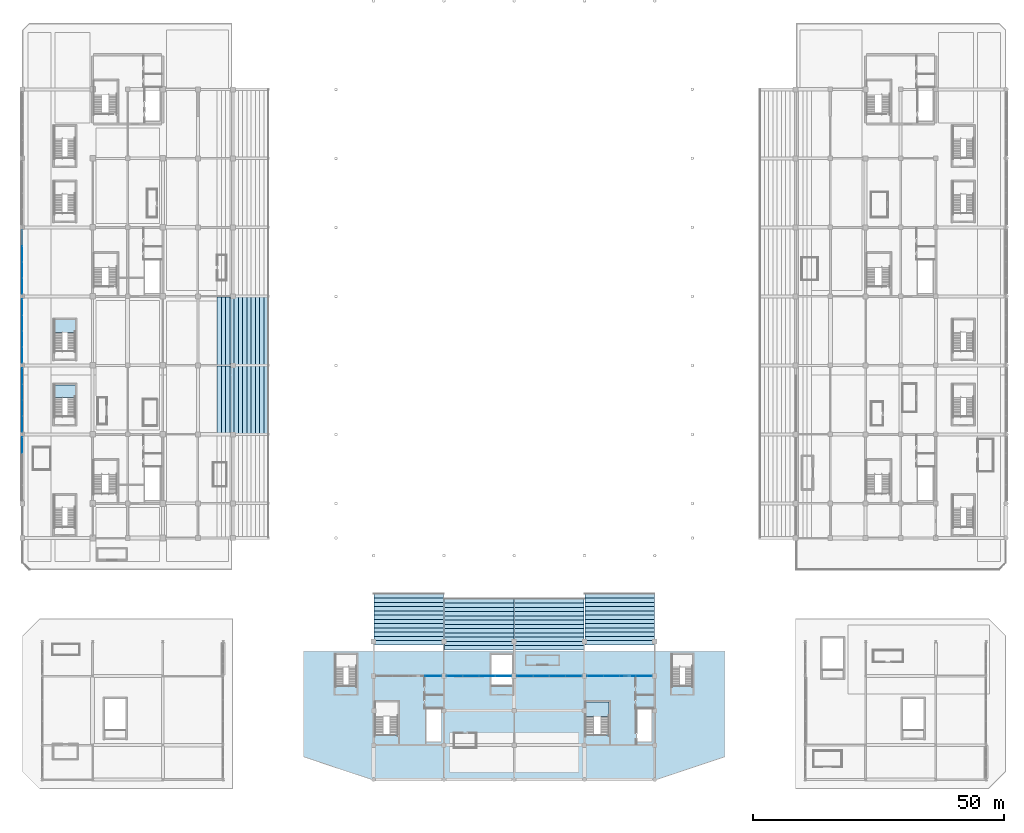
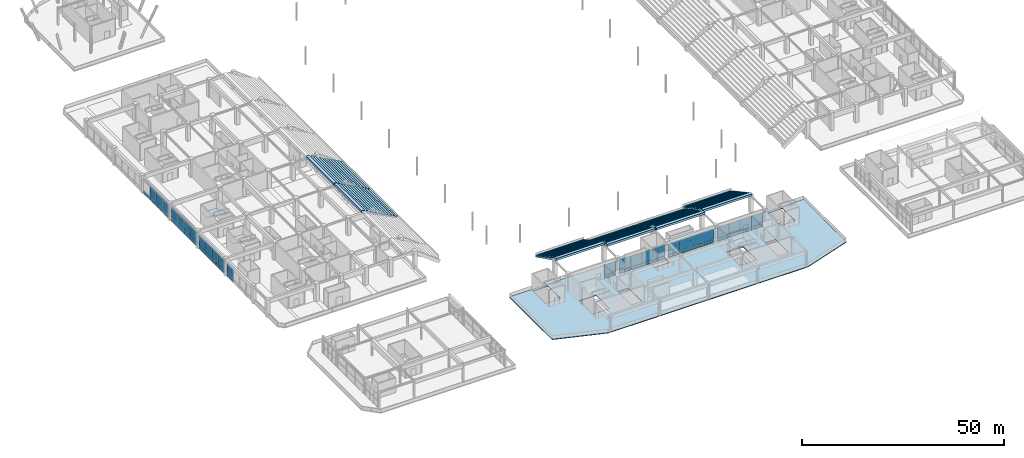
# One storey, part 72 of 117: 51 plates, 10 slabs, 11 elements without a shape of their own.
"""IFC4 building model written with IfcOpenShell, lengths in metres."""

from ifc_helpers import new_model, si_unit, direction, frame, origin, origin_2d, place, context, subcontext, project, spatial, polyline, rectangle, outline, extrude, material, layer, layer_set, type_object, element, aggregate, save


model = new_model("IFC4")

# Units and contexts
model_context = context("Model", 3, precision=1e-05, world=origin(), true_north=direction((0.0, 1.0)))
body_context = subcontext(model_context, "Body", "Model", "MODEL_VIEW")
ifc_project = project(units=[si_unit("LENGTHUNIT", "METRE"), si_unit("AREAUNIT", "SQUARE_METRE"), si_unit("VOLUMEUNIT", "CUBIC_METRE"), si_unit("PLANEANGLEUNIT", "RADIAN"), si_unit("MASSUNIT", "GRAM", prefix="KILO")], contexts=[model_context])

# Site, building, storey
site_placement = place(None, origin())
site = spatial("IfcSite", under=ifc_project, at=site_placement, CompositionType="ELEMENT")
building_placement = place(site_placement, origin())
building = spatial("IfcBuilding", under=site, at=building_placement, Name="Linyun Crest Stadium", CompositionType="ELEMENT")
storey_placement = place(building_placement, frame((0.0, 0.0, 6.0)))
storey = spatial("IfcBuildingStorey", under=building, at=storey_placement, Name="L02", CompositionType="ELEMENT", Elevation=6.0)

# Slab
ifc_material_1 = material(Name="Concrete C40", Category="concrete")
ifc_layer_1 = layer(ifc_material_1, 0.219970703125)
ifc_layer_set_1 = layer_set([ifc_layer_1], Name="Concrete C40")
slab_type_1 = type_object("IfcSlabType", Name="FS03", PredefinedType="FLOOR", material=ifc_layer_set_1)
slab_1_placement = place(storey_placement, frame((0.0, 0.0, -0.219970703125)))
element("IfcSlab", 1, at=slab_1_placement, inside=storey, type_object=slab_type_1, Name="Slab FS03 V4 L02 40", PredefinedType="FLOOR", context=body_context, shape_type="SweptSolid", body=[
    extrude(outline(polyline([(-42.0, -89.625), (-28.5, -94.125), (28.5, -94.125), (42.0, -89.625), (42.0, -68.5), (-42.0, -68.5), (-42.0, -89.625)]), holes=[polyline([(-27.77490234375, -85.22998046875), (-27.77490234375, -78.64990234375), (-23.10009765625, -78.64990234375), (-23.10009765625, -85.22998046875), (-27.77490234375, -85.22998046875)]), polyline([(-17.60009765625, -86.60009765625), (-17.60009765625, -80.0), (-14.60009765625, -80.0), (-14.60009765625, -86.60009765625), (-17.60009765625, -86.60009765625)]), polyline([(14.175048828125, -85.22998046875), (14.175048828125, -78.64990234375), (18.89990234375, -78.64990234375), (18.89990234375, -85.22998046875), (14.175048828125, -85.22998046875)]), polyline([(24.39990234375, -86.60009765625), (24.39990234375, -80.0), (27.39990234375, -80.0), (27.39990234375, -86.60009765625), (24.39990234375, -86.60009765625)]), polyline([(-35.60009765625, -75.449951171875), (-35.60009765625, -69.199951171875), (-31.39990234375, -69.199951171875), (-31.39990234375, -75.449951171875), (-35.60009765625, -75.449951171875)]), polyline([(-4.60009765625, -75.449951171875), (-4.60009765625, -69.199951171875), (-0.39990234375, -69.199951171875), (-0.39990234375, -75.449951171875), (-4.60009765625, -75.449951171875)]), polyline([(31.39990234375, -75.449951171875), (31.39990234375, -69.199951171875), (35.60009765625, -69.199951171875), (35.60009765625, -75.449951171875), (31.39990234375, -75.449951171875)])]), origin(), (0.0, 0.0, 1.0), 0.219970703125),
])

# Curtain wall, plate
ifc_material_2 = material(Name="Verdigris steel and low-E curtain wall assembly", Category="steel")
curtain_wall_type_1 = type_object("IfcCurtainWallType", Name="MCW01", PredefinedType="NOTDEFINED", material=ifc_material_2)
curtain_wall_1_placement = place(storey_placement, origin())
curtain_wall_1 = element("IfcCurtainWall", 2, at=curtain_wall_1_placement, inside=storey, type_object=curtain_wall_type_1, Name="CWR-073", PredefinedType="NOTDEFINED")
ifc_material_3 = material(Name="Double silver low-E insulated glass", Category="glass")
ifc_layer_2 = layer(ifc_material_3, 0.02587890625)
ifc_layer_set_2 = layer_set([ifc_layer_2], Name="Double silver low-E insulated glass")
plate_type_1 = type_object("IfcPlateType", Name="GP01", PredefinedType="CURTAIN_PANEL", material=ifc_layer_set_2)
plate_1_placement = place(storey_placement, frame((-98.0, -27.506103515625, 0.9248046875), z_axis=(0.0, 0.0, 1.0), x_axis=(0.0, 1.0, 0.0)))
plate_1 = element("IfcPlate", 3, at=plate_1_placement, type_object=plate_type_1, Name="CWR-073 panel 4.2", PredefinedType="CURTAIN_PANEL", context=body_context, shape_type="SweptSolid", body=[
    extrude(rectangle(XDim=3.112548828125, YDim=0.02587890625, at=origin_2d()), origin(), (0.0, 0.0, 1.0), 3.300048828125),
])

# Curtain wall, plates
curtain_wall_2_placement = place(storey_placement, origin())
curtain_wall_2 = element("IfcCurtainWall", 4, at=curtain_wall_2_placement, inside=storey, type_object=curtain_wall_type_1, Name="CWR-082", PredefinedType="NOTDEFINED")
plate_2_placement = place(storey_placement, frame((-98.0, -23.243896484375, 0.9248046875), z_axis=(0.0, 0.0, 1.0), x_axis=(0.0, 1.0, 0.0)))
plate_2 = element("IfcPlate", 5, at=plate_2_placement, type_object=plate_type_1, Name="CWR-082 panel 1.2", PredefinedType="CURTAIN_PANEL", context=body_context, shape_type="SweptSolid", body=[
    extrude(rectangle(XDim=3.112548828125, YDim=0.02587890625, at=origin_2d()), origin(), (0.0, 0.0, 1.0), 3.300048828125),
])
plate_3_placement = place(storey_placement, frame((-98.0, -20.0810546875, 0.9248046875), z_axis=(0.0, 0.0, 1.0), x_axis=(0.0, 1.0, 0.0)))
plate_3 = element("IfcPlate", 6, at=plate_3_placement, type_object=plate_type_1, Name="CWR-082 panel 2.2", PredefinedType="CURTAIN_PANEL", context=body_context, shape_type="SweptSolid", body=[
    extrude(rectangle(XDim=3.112548828125, YDim=0.02587890625, at=origin_2d()), origin(), (0.0, 0.0, 1.0), 3.300048828125),
])
plate_4_placement = place(storey_placement, frame((-98.0, -16.9189453125, 0.9248046875), z_axis=(0.0, 0.0, 1.0), x_axis=(0.0, 1.0, 0.0)))
plate_4 = element("IfcPlate", 7, at=plate_4_placement, type_object=plate_type_1, Name="CWR-082 panel 3.2", PredefinedType="CURTAIN_PANEL", context=body_context, shape_type="SweptSolid", body=[
    extrude(rectangle(XDim=3.112548828125, YDim=0.02587890625, at=origin_2d()), origin(), (0.0, 0.0, 1.0), 3.300048828125),
])
plate_5_placement = place(storey_placement, frame((-98.0, -13.756103515625, 0.9248046875), z_axis=(0.0, 0.0, 1.0), x_axis=(0.0, 1.0, 0.0)))
plate_5 = element("IfcPlate", 8, at=plate_5_placement, type_object=plate_type_1, Name="CWR-082 panel 4.2", PredefinedType="CURTAIN_PANEL", context=body_context, shape_type="SweptSolid", body=[
    extrude(rectangle(XDim=3.112548828125, YDim=0.02587890625, at=origin_2d()), origin(), (0.0, 0.0, 1.0), 3.300048828125),
])

curtain_wall_3_placement = place(storey_placement, origin())
curtain_wall_3 = element("IfcCurtainWall", 9, at=curtain_wall_3_placement, inside=storey, type_object=curtain_wall_type_1, Name="CWR-091", PredefinedType="NOTDEFINED")
plate_6_placement = place(storey_placement, frame((-98.0, -9.493896484375, 0.9248046875), z_axis=(0.0, 0.0, 1.0), x_axis=(0.0, 1.0, 0.0)))
plate_6 = element("IfcPlate", 10, at=plate_6_placement, type_object=plate_type_1, Name="CWR-091 panel 1.2", PredefinedType="CURTAIN_PANEL", context=body_context, shape_type="SweptSolid", body=[
    extrude(rectangle(XDim=3.112548828125, YDim=0.02587890625, at=origin_2d()), origin(), (0.0, 0.0, 1.0), 3.300048828125),
])
plate_7_placement = place(storey_placement, frame((-98.0, -6.3310546875, 0.9248046875), z_axis=(0.0, 0.0, 1.0), x_axis=(0.0, 1.0, 0.0)))
plate_7 = element("IfcPlate", 11, at=plate_7_placement, type_object=plate_type_1, Name="CWR-091 panel 2.2", PredefinedType="CURTAIN_PANEL", context=body_context, shape_type="SweptSolid", body=[
    extrude(rectangle(XDim=3.112548828125, YDim=0.02587890625, at=origin_2d()), origin(), (0.0, 0.0, 1.0), 3.300048828125),
])
plate_8_placement = place(storey_placement, frame((-98.0, -3.1689453125, 0.9248046875), z_axis=(0.0, 0.0, 1.0), x_axis=(0.0, 1.0, 0.0)))
plate_8 = element("IfcPlate", 12, at=plate_8_placement, type_object=plate_type_1, Name="CWR-091 panel 3.2", PredefinedType="CURTAIN_PANEL", context=body_context, shape_type="SweptSolid", body=[
    extrude(rectangle(XDim=3.112548828125, YDim=0.02587890625, at=origin_2d()), origin(), (0.0, 0.0, 1.0), 3.300048828125),
])
plate_9_placement = place(storey_placement, frame((-98.0, -0.006103515625, 0.9248046875), z_axis=(0.0, 0.0, 1.0), x_axis=(0.0, 1.0, 0.0)))
plate_9 = element("IfcPlate", 13, at=plate_9_placement, type_object=plate_type_1, Name="CWR-091 panel 4.2", PredefinedType="CURTAIN_PANEL", context=body_context, shape_type="SweptSolid", body=[
    extrude(rectangle(XDim=3.112548828125, YDim=0.02587890625, at=origin_2d()), origin(), (0.0, 0.0, 1.0), 3.300048828125),
])

curtain_wall_4_placement = place(storey_placement, origin())
curtain_wall_4 = element("IfcCurtainWall", 14, at=curtain_wall_4_placement, inside=storey, type_object=curtain_wall_type_1, Name="CWR-100", PredefinedType="NOTDEFINED")
plate_10_placement = place(storey_placement, frame((-98.0, 4.256103515625, 0.9248046875), z_axis=(0.0, 0.0, 1.0), x_axis=(0.0, 1.0, 0.0)))
plate_10 = element("IfcPlate", 15, at=plate_10_placement, type_object=plate_type_1, Name="CWR-100 panel 1.2", PredefinedType="CURTAIN_PANEL", context=body_context, shape_type="SweptSolid", body=[
    extrude(rectangle(XDim=3.112548828125, YDim=0.02587890625, at=origin_2d()), origin(), (0.0, 0.0, 1.0), 3.300048828125),
])
plate_11_placement = place(storey_placement, frame((-98.0, 7.4189453125, 0.9248046875), z_axis=(0.0, 0.0, 1.0), x_axis=(0.0, 1.0, 0.0)))
plate_11 = element("IfcPlate", 16, at=plate_11_placement, type_object=plate_type_1, Name="CWR-100 panel 2.2", PredefinedType="CURTAIN_PANEL", context=body_context, shape_type="SweptSolid", body=[
    extrude(rectangle(XDim=3.112548828125, YDim=0.02587890625, at=origin_2d()), origin(), (0.0, 0.0, 1.0), 3.300048828125),
])
plate_12_placement = place(storey_placement, frame((-98.0, 10.5810546875, 0.9248046875), z_axis=(0.0, 0.0, 1.0), x_axis=(0.0, 1.0, 0.0)))
plate_12 = element("IfcPlate", 17, at=plate_12_placement, type_object=plate_type_1, Name="CWR-100 panel 3.2", PredefinedType="CURTAIN_PANEL", context=body_context, shape_type="SweptSolid", body=[
    extrude(rectangle(XDim=3.112548828125, YDim=0.02587890625, at=origin_2d()), origin(), (0.0, 0.0, 1.0), 3.300048828125),
])

# Curtain wall, plate
ifc_material_4 = material(Name="Verdigris steel and low-E curtain wall assembly", Category="steel")
curtain_wall_type_2 = type_object("IfcCurtainWallType", Name="MCW03", PredefinedType="NOTDEFINED", material=ifc_material_4)
curtain_wall_5_placement = place(storey_placement, origin())
curtain_wall_5 = element("IfcCurtainWall", 18, at=curtain_wall_5_placement, inside=storey, type_object=curtain_wall_type_2, Name="CWR-131", PredefinedType="NOTDEFINED")
plate_13_placement = place(storey_placement, frame((-16.1630859375, -73.5, 0.875), z_axis=(0.0, 0.0, 1.0), x_axis=(1.0, 0.0, 0.0)))
plate_13 = element("IfcPlate", 19, at=plate_13_placement, type_object=plate_type_1, Name="CWR-131 panel 4.2", PredefinedType="CURTAIN_PANEL", context=body_context, shape_type="SweptSolid", body=[
    extrude(rectangle(XDim=3.175048828125, YDim=0.02587890625, at=origin_2d()), origin(), (0.0, 0.0, 1.0), 3.35009765625),
])

# Curtain wall, plates
curtain_wall_6_placement = place(storey_placement, origin())
curtain_wall_6 = element("IfcCurtainWall", 20, at=curtain_wall_6_placement, inside=storey, type_object=curtain_wall_type_2, Name="CWR-138", PredefinedType="NOTDEFINED")
plate_14_placement = place(storey_placement, frame((-11.8369140625, -73.5, 0.875), z_axis=(0.0, 0.0, 1.0), x_axis=(1.0, 0.0, 0.0)))
plate_14 = element("IfcPlate", 21, at=plate_14_placement, type_object=plate_type_1, Name="CWR-138 panel 1.2", PredefinedType="CURTAIN_PANEL", context=body_context, shape_type="SweptSolid", body=[
    extrude(rectangle(XDim=3.175048828125, YDim=0.02587890625, at=origin_2d()), origin(), (0.0, 0.0, 1.0), 3.35009765625),
])
plate_15_placement = place(storey_placement, frame((-8.612060546875, -73.5, 0.875), z_axis=(0.0, 0.0, 1.0), x_axis=(1.0, 0.0, 0.0)))
plate_15 = element("IfcPlate", 22, at=plate_15_placement, type_object=plate_type_1, Name="CWR-138 panel 2.2", PredefinedType="CURTAIN_PANEL", context=body_context, shape_type="SweptSolid", body=[
    extrude(rectangle(XDim=3.175048828125, YDim=0.02587890625, at=origin_2d()), origin(), (0.0, 0.0, 1.0), 3.35009765625),
])
plate_16_placement = place(storey_placement, frame((-5.386962890625, -73.5, 0.875), z_axis=(0.0, 0.0, 1.0), x_axis=(1.0, 0.0, 0.0)))
plate_16 = element("IfcPlate", 23, at=plate_16_placement, type_object=plate_type_1, Name="CWR-138 panel 3.2", PredefinedType="CURTAIN_PANEL", context=body_context, shape_type="SweptSolid", body=[
    extrude(rectangle(XDim=3.175048828125, YDim=0.02587890625, at=origin_2d()), origin(), (0.0, 0.0, 1.0), 3.35009765625),
])
plate_17_placement = place(storey_placement, frame((-2.1630859375, -73.5, 0.875), z_axis=(0.0, 0.0, 1.0), x_axis=(1.0, 0.0, 0.0)))
plate_17 = element("IfcPlate", 24, at=plate_17_placement, type_object=plate_type_1, Name="CWR-138 panel 4.2", PredefinedType="CURTAIN_PANEL", context=body_context, shape_type="SweptSolid", body=[
    extrude(rectangle(XDim=3.175048828125, YDim=0.02587890625, at=origin_2d()), origin(), (0.0, 0.0, 1.0), 3.35009765625),
])

curtain_wall_7_placement = place(storey_placement, origin())
curtain_wall_7 = element("IfcCurtainWall", 25, at=curtain_wall_7_placement, inside=storey, type_object=curtain_wall_type_2, Name="CWR-145", PredefinedType="NOTDEFINED")
plate_18_placement = place(storey_placement, frame((2.162109375, -73.5, 0.875), z_axis=(0.0, 0.0, 1.0), x_axis=(1.0, 0.0, 0.0)))
plate_18 = element("IfcPlate", 26, at=plate_18_placement, type_object=plate_type_1, Name="CWR-145 panel 1.2", PredefinedType="CURTAIN_PANEL", context=body_context, shape_type="SweptSolid", body=[
    extrude(rectangle(XDim=3.175048828125, YDim=0.02587890625, at=origin_2d()), origin(), (0.0, 0.0, 1.0), 3.35009765625),
])
plate_19_placement = place(storey_placement, frame((5.386962890625, -73.5, 0.875), z_axis=(0.0, 0.0, 1.0), x_axis=(1.0, 0.0, 0.0)))
plate_19 = element("IfcPlate", 27, at=plate_19_placement, type_object=plate_type_1, Name="CWR-145 panel 2.2", PredefinedType="CURTAIN_PANEL", context=body_context, shape_type="SweptSolid", body=[
    extrude(rectangle(XDim=3.175048828125, YDim=0.02587890625, at=origin_2d()), origin(), (0.0, 0.0, 1.0), 3.35009765625),
])
plate_20_placement = place(storey_placement, frame((8.612060546875, -73.5, 0.875), z_axis=(0.0, 0.0, 1.0), x_axis=(1.0, 0.0, 0.0)))
plate_20 = element("IfcPlate", 28, at=plate_20_placement, type_object=plate_type_1, Name="CWR-145 panel 3.2", PredefinedType="CURTAIN_PANEL", context=body_context, shape_type="SweptSolid", body=[
    extrude(rectangle(XDim=3.175048828125, YDim=0.02587890625, at=origin_2d()), origin(), (0.0, 0.0, 1.0), 3.35009765625),
])
plate_21_placement = place(storey_placement, frame((11.8369140625, -73.5, 0.875), z_axis=(0.0, 0.0, 1.0), x_axis=(1.0, 0.0, 0.0)))
plate_21 = element("IfcPlate", 29, at=plate_21_placement, type_object=plate_type_1, Name="CWR-145 panel 4.2", PredefinedType="CURTAIN_PANEL", context=body_context, shape_type="SweptSolid", body=[
    extrude(rectangle(XDim=3.175048828125, YDim=0.02587890625, at=origin_2d()), origin(), (0.0, 0.0, 1.0), 3.35009765625),
])

curtain_wall_8_placement = place(storey_placement, origin())
curtain_wall_8 = element("IfcCurtainWall", 30, at=curtain_wall_8_placement, inside=storey, type_object=curtain_wall_type_2, Name="CWR-152", PredefinedType="NOTDEFINED")
plate_22_placement = place(storey_placement, frame((16.1630859375, -73.5, 0.875), z_axis=(0.0, 0.0, 1.0), x_axis=(1.0, 0.0, 0.0)))
plate_22 = element("IfcPlate", 31, at=plate_22_placement, type_object=plate_type_1, Name="CWR-152 panel 1.2", PredefinedType="CURTAIN_PANEL", context=body_context, shape_type="SweptSolid", body=[
    extrude(rectangle(XDim=3.175048828125, YDim=0.02587890625, at=origin_2d()), origin(), (0.0, 0.0, 1.0), 3.35009765625),
])
plate_23_placement = place(storey_placement, frame((19.387939453125, -73.5, 0.875), z_axis=(0.0, 0.0, 1.0), x_axis=(1.0, 0.0, 0.0)))
plate_23 = element("IfcPlate", 32, at=plate_23_placement, type_object=plate_type_1, Name="CWR-152 panel 2.2", PredefinedType="CURTAIN_PANEL", context=body_context, shape_type="SweptSolid", body=[
    extrude(rectangle(XDim=3.175048828125, YDim=0.02587890625, at=origin_2d()), origin(), (0.0, 0.0, 1.0), 3.35009765625),
])
plate_24_placement = place(storey_placement, frame((22.612060546875, -73.5, 0.875), z_axis=(0.0, 0.0, 1.0), x_axis=(1.0, 0.0, 0.0)))
plate_24 = element("IfcPlate", 33, at=plate_24_placement, type_object=plate_type_1, Name="CWR-152 panel 3.2", PredefinedType="CURTAIN_PANEL", context=body_context, shape_type="SweptSolid", body=[
    extrude(rectangle(XDim=3.175048828125, YDim=0.02587890625, at=origin_2d()), origin(), (0.0, 0.0, 1.0), 3.35009765625),
])
plate_25_placement = place(storey_placement, frame((25.837890625, -73.5, 0.875), z_axis=(0.0, 0.0, 1.0), x_axis=(1.0, 0.0, 0.0)))
plate_25 = element("IfcPlate", 34, at=plate_25_placement, type_object=plate_type_1, Name="CWR-152 panel 4.2", PredefinedType="CURTAIN_PANEL", context=body_context, shape_type="SweptSolid", body=[
    extrude(rectangle(XDim=3.175048828125, YDim=0.02587890625, at=origin_2d()), origin(), (0.0, 0.0, 1.0), 3.35009765625),
])

# Stair, slab
ifc_material_5 = material(Name="Concrete C40", Category="concrete")
stair_type = type_object("IfcStairType", Name="STA02", PredefinedType="HALF_TURN_STAIR", material=ifc_material_5)
stair_1_placement = place(storey_placement, origin())
stair_1 = element("IfcStair", 35, at=stair_1_placement, inside=storey, type_object=stair_type, Name="Evacuation stair STR-10-L02", PredefinedType="HALF_TURN_STAIR")
ifc_material_6 = material(Name="Concrete C40", Category="concrete")
ifc_layer_3 = layer(ifc_material_6, 0.179931640625)
ifc_layer_set_3 = layer_set([ifc_layer_3], Name="Concrete C40")
slab_type_2 = type_object("IfcSlabType", Name="LS01", PredefinedType="LANDING", material=ifc_layer_set_3)
slab_2_placement = place(storey_placement, frame((0.0, 0.0, 2.52001953125)))
slab_2 = element("IfcSlab", 36, at=slab_2_placement, type_object=slab_type_2, Name="STR-10-L02 half-landing", PredefinedType="LANDING", context=body_context, shape_type="SweptSolid", body=[
    extrude(outline(polyline([(14.175048828125, -81.510009765625), (18.89990234375, -81.510009765625), (18.89990234375, -78.64990234375), (14.175048828125, -78.64990234375), (14.175048828125, -81.510009765625)])), origin(), (0.0, 0.0, 1.0), 0.179931640625),
])
aggregate(stair_1, [slab_2])

stair_2_placement = place(storey_placement, origin())
stair_2 = element("IfcStair", 37, at=stair_2_placement, inside=storey, type_object=stair_type, Name="Vomitory evacuation stair STR-14-L02", PredefinedType="HALF_TURN_STAIR")
slab_3_placement = place(storey_placement, frame((0.0, 0.0, 2.52001953125)))
slab_3 = element("IfcSlab", 38, at=slab_3_placement, type_object=slab_type_2, Name="STR-14-L02 half-landing", PredefinedType="LANDING", context=body_context, shape_type="SweptSolid", body=[
    extrude(outline(polyline([(-91.60009765625, -18.030029296875), (-87.39990234375, -18.030029296875), (-87.39990234375, -15.5), (-91.60009765625, -15.5), (-91.60009765625, -18.030029296875)])), origin(), (0.0, 0.0, 1.0), 0.179931640625),
])
aggregate(stair_2, [slab_3])

stair_3_placement = place(storey_placement, origin())
stair_3 = element("IfcStair", 39, at=stair_3_placement, inside=storey, type_object=stair_type, Name="Vomitory evacuation stair STR-15-L02", PredefinedType="HALF_TURN_STAIR")
slab_4_placement = place(storey_placement, frame((0.0, 0.0, 2.52001953125)))
slab_4 = element("IfcSlab", 40, at=slab_4_placement, type_object=slab_type_2, Name="STR-15-L02 half-landing", PredefinedType="LANDING", context=body_context, shape_type="SweptSolid", body=[
    extrude(outline(polyline([(-91.60009765625, -5.030029296875), (-87.39990234375, -5.030029296875), (-87.39990234375, -2.5), (-91.60009765625, -2.5), (-91.60009765625, -5.030029296875)])), origin(), (0.0, 0.0, 1.0), 0.179931640625),
])
aggregate(stair_3, [slab_4])

# Plate
ifc_material_7 = material(Name="Celadon glazed ceramic faience insulated spandrel")
ifc_layer_4 = layer(ifc_material_7, 0.0419921875)
ifc_layer_set_4 = layer_set([ifc_layer_4], Name="Celadon glazed ceramic faience insulated spandrel")
plate_type_2 = type_object("IfcPlateType", Name="SP01", PredefinedType="SHEET", material=ifc_layer_set_4)
plate_26_placement = place(storey_placement, frame((-98.0, -27.506103515625, 0.02490234375), z_axis=(0.0, 0.0, 1.0), x_axis=(0.0, 1.0, 0.0)))
plate_26 = element("IfcPlate", 41, at=plate_26_placement, type_object=plate_type_2, Name="CWR-073 panel 4.1", PredefinedType="SHEET", context=body_context, shape_type="SweptSolid", body=[
    extrude(rectangle(XDim=3.112548828125, YDim=0.0419921875, at=origin_2d()), origin(), (0.0, 0.0, 1.0), 0.85009765625),
])

aggregate(curtain_wall_1, [plate_26, plate_1])

plate_27_placement = place(storey_placement, frame((-98.0, -23.243896484375, 0.02490234375), z_axis=(0.0, 0.0, 1.0), x_axis=(0.0, 1.0, 0.0)))
plate_27 = element("IfcPlate", 42, at=plate_27_placement, type_object=plate_type_2, Name="CWR-082 panel 1.1", PredefinedType="SHEET", context=body_context, shape_type="SweptSolid", body=[
    extrude(rectangle(XDim=3.112548828125, YDim=0.0419921875, at=origin_2d()), origin(), (0.0, 0.0, 1.0), 0.85009765625),
])

plate_28_placement = place(storey_placement, frame((-98.0, -20.0810546875, 0.02490234375), z_axis=(0.0, 0.0, 1.0), x_axis=(0.0, 1.0, 0.0)))
plate_28 = element("IfcPlate", 43, at=plate_28_placement, type_object=plate_type_2, Name="CWR-082 panel 2.1", PredefinedType="SHEET", context=body_context, shape_type="SweptSolid", body=[
    extrude(rectangle(XDim=3.112548828125, YDim=0.0419921875, at=origin_2d()), origin(), (0.0, 0.0, 1.0), 0.85009765625),
])

plate_29_placement = place(storey_placement, frame((-98.0, -16.9189453125, 0.02490234375), z_axis=(0.0, 0.0, 1.0), x_axis=(0.0, 1.0, 0.0)))
plate_29 = element("IfcPlate", 44, at=plate_29_placement, type_object=plate_type_2, Name="CWR-082 panel 3.1", PredefinedType="SHEET", context=body_context, shape_type="SweptSolid", body=[
    extrude(rectangle(XDim=3.112548828125, YDim=0.0419921875, at=origin_2d()), origin(), (0.0, 0.0, 1.0), 0.85009765625),
])

plate_30_placement = place(storey_placement, frame((-98.0, -13.756103515625, 0.02490234375), z_axis=(0.0, 0.0, 1.0), x_axis=(0.0, 1.0, 0.0)))
plate_30 = element("IfcPlate", 45, at=plate_30_placement, type_object=plate_type_2, Name="CWR-082 panel 4.1", PredefinedType="SHEET", context=body_context, shape_type="SweptSolid", body=[
    extrude(rectangle(XDim=3.112548828125, YDim=0.0419921875, at=origin_2d()), origin(), (0.0, 0.0, 1.0), 0.85009765625),
])

aggregate(curtain_wall_2, [plate_27, plate_2, plate_28, plate_3, plate_29, plate_4, plate_30, plate_5])

plate_31_placement = place(storey_placement, frame((-98.0, -9.493896484375, 0.02490234375), z_axis=(0.0, 0.0, 1.0), x_axis=(0.0, 1.0, 0.0)))
plate_31 = element("IfcPlate", 46, at=plate_31_placement, type_object=plate_type_2, Name="CWR-091 panel 1.1", PredefinedType="SHEET", context=body_context, shape_type="SweptSolid", body=[
    extrude(rectangle(XDim=3.112548828125, YDim=0.0419921875, at=origin_2d()), origin(), (0.0, 0.0, 1.0), 0.85009765625),
])

plate_32_placement = place(storey_placement, frame((-98.0, -6.3310546875, 0.02490234375), z_axis=(0.0, 0.0, 1.0), x_axis=(0.0, 1.0, 0.0)))
plate_32 = element("IfcPlate", 47, at=plate_32_placement, type_object=plate_type_2, Name="CWR-091 panel 2.1", PredefinedType="SHEET", context=body_context, shape_type="SweptSolid", body=[
    extrude(rectangle(XDim=3.112548828125, YDim=0.0419921875, at=origin_2d()), origin(), (0.0, 0.0, 1.0), 0.85009765625),
])

plate_33_placement = place(storey_placement, frame((-98.0, -3.1689453125, 0.02490234375), z_axis=(0.0, 0.0, 1.0), x_axis=(0.0, 1.0, 0.0)))
plate_33 = element("IfcPlate", 48, at=plate_33_placement, type_object=plate_type_2, Name="CWR-091 panel 3.1", PredefinedType="SHEET", context=body_context, shape_type="SweptSolid", body=[
    extrude(rectangle(XDim=3.112548828125, YDim=0.0419921875, at=origin_2d()), origin(), (0.0, 0.0, 1.0), 0.85009765625),
])

plate_34_placement = place(storey_placement, frame((-98.0, -0.006103515625, 0.02490234375), z_axis=(0.0, 0.0, 1.0), x_axis=(0.0, 1.0, 0.0)))
plate_34 = element("IfcPlate", 49, at=plate_34_placement, type_object=plate_type_2, Name="CWR-091 panel 4.1", PredefinedType="SHEET", context=body_context, shape_type="SweptSolid", body=[
    extrude(rectangle(XDim=3.112548828125, YDim=0.0419921875, at=origin_2d()), origin(), (0.0, 0.0, 1.0), 0.85009765625),
])

aggregate(curtain_wall_3, [plate_31, plate_6, plate_32, plate_7, plate_33, plate_8, plate_34, plate_9])

plate_35_placement = place(storey_placement, frame((-98.0, 4.256103515625, 0.02490234375), z_axis=(0.0, 0.0, 1.0), x_axis=(0.0, 1.0, 0.0)))
plate_35 = element("IfcPlate", 50, at=plate_35_placement, type_object=plate_type_2, Name="CWR-100 panel 1.1", PredefinedType="SHEET", context=body_context, shape_type="SweptSolid", body=[
    extrude(rectangle(XDim=3.112548828125, YDim=0.0419921875, at=origin_2d()), origin(), (0.0, 0.0, 1.0), 0.85009765625),
])

plate_36_placement = place(storey_placement, frame((-98.0, 7.4189453125, 0.02490234375), z_axis=(0.0, 0.0, 1.0), x_axis=(0.0, 1.0, 0.0)))
plate_36 = element("IfcPlate", 51, at=plate_36_placement, type_object=plate_type_2, Name="CWR-100 panel 2.1", PredefinedType="SHEET", context=body_context, shape_type="SweptSolid", body=[
    extrude(rectangle(XDim=3.112548828125, YDim=0.0419921875, at=origin_2d()), origin(), (0.0, 0.0, 1.0), 0.85009765625),
])

plate_37_placement = place(storey_placement, frame((-98.0, 10.5810546875, 0.02490234375), z_axis=(0.0, 0.0, 1.0), x_axis=(0.0, 1.0, 0.0)))
plate_37 = element("IfcPlate", 52, at=plate_37_placement, type_object=plate_type_2, Name="CWR-100 panel 3.1", PredefinedType="SHEET", context=body_context, shape_type="SweptSolid", body=[
    extrude(rectangle(XDim=3.112548828125, YDim=0.0419921875, at=origin_2d()), origin(), (0.0, 0.0, 1.0), 0.85009765625),
])

plate_38_placement = place(storey_placement, frame((-98.0, 13.743896484375, 0.02490234375), z_axis=(0.0, 0.0, 1.0), x_axis=(0.0, 1.0, 0.0)))
plate_38 = element("IfcPlate", 53, at=plate_38_placement, type_object=plate_type_2, Name="CWR-100 panel 4.1", PredefinedType="SHEET", context=body_context, shape_type="SweptSolid", body=[
    extrude(rectangle(XDim=3.112548828125, YDim=0.0419921875, at=origin_2d()), origin(), (0.0, 0.0, 1.0), 0.85009765625),
])

aggregate(curtain_wall_4, [plate_35, plate_10, plate_36, plate_11, plate_37, plate_12, plate_38])

plate_39_placement = place(storey_placement, frame((-16.1630859375, -73.5, 0.02490234375), z_axis=(0.0, 0.0, 1.0), x_axis=(1.0, 0.0, 0.0)))
plate_39 = element("IfcPlate", 54, at=plate_39_placement, type_object=plate_type_2, Name="CWR-131 panel 4.1", PredefinedType="SHEET", context=body_context, shape_type="SweptSolid", body=[
    extrude(rectangle(XDim=3.175048828125, YDim=0.0419921875, at=origin_2d()), origin(), (0.0, 0.0, 1.0), 0.800048828125),
])

aggregate(curtain_wall_5, [plate_39, plate_13])

plate_40_placement = place(storey_placement, frame((-11.8369140625, -73.5, 0.02490234375), z_axis=(0.0, 0.0, 1.0), x_axis=(1.0, 0.0, 0.0)))
plate_40 = element("IfcPlate", 55, at=plate_40_placement, type_object=plate_type_2, Name="CWR-138 panel 1.1", PredefinedType="SHEET", context=body_context, shape_type="SweptSolid", body=[
    extrude(rectangle(XDim=3.175048828125, YDim=0.0419921875, at=origin_2d()), origin(), (0.0, 0.0, 1.0), 0.800048828125),
])

plate_41_placement = place(storey_placement, frame((-8.612060546875, -73.5, 0.02490234375), z_axis=(0.0, 0.0, 1.0), x_axis=(1.0, 0.0, 0.0)))
plate_41 = element("IfcPlate", 56, at=plate_41_placement, type_object=plate_type_2, Name="CWR-138 panel 2.1", PredefinedType="SHEET", context=body_context, shape_type="SweptSolid", body=[
    extrude(rectangle(XDim=3.175048828125, YDim=0.0419921875, at=origin_2d()), origin(), (0.0, 0.0, 1.0), 0.800048828125),
])

plate_42_placement = place(storey_placement, frame((-5.386962890625, -73.5, 0.02490234375), z_axis=(0.0, 0.0, 1.0), x_axis=(1.0, 0.0, 0.0)))
plate_42 = element("IfcPlate", 57, at=plate_42_placement, type_object=plate_type_2, Name="CWR-138 panel 3.1", PredefinedType="SHEET", context=body_context, shape_type="SweptSolid", body=[
    extrude(rectangle(XDim=3.175048828125, YDim=0.0419921875, at=origin_2d()), origin(), (0.0, 0.0, 1.0), 0.800048828125),
])

plate_43_placement = place(storey_placement, frame((-2.1630859375, -73.5, 0.02490234375), z_axis=(0.0, 0.0, 1.0), x_axis=(1.0, 0.0, 0.0)))
plate_43 = element("IfcPlate", 58, at=plate_43_placement, type_object=plate_type_2, Name="CWR-138 panel 4.1", PredefinedType="SHEET", context=body_context, shape_type="SweptSolid", body=[
    extrude(rectangle(XDim=3.175048828125, YDim=0.0419921875, at=origin_2d()), origin(), (0.0, 0.0, 1.0), 0.800048828125),
])

aggregate(curtain_wall_6, [plate_40, plate_14, plate_41, plate_15, plate_42, plate_16, plate_43, plate_17])

plate_44_placement = place(storey_placement, frame((2.162109375, -73.5, 0.02490234375), z_axis=(0.0, 0.0, 1.0), x_axis=(1.0, 0.0, 0.0)))
plate_44 = element("IfcPlate", 59, at=plate_44_placement, type_object=plate_type_2, Name="CWR-145 panel 1.1", PredefinedType="SHEET", context=body_context, shape_type="SweptSolid", body=[
    extrude(rectangle(XDim=3.175048828125, YDim=0.0419921875, at=origin_2d()), origin(), (0.0, 0.0, 1.0), 0.800048828125),
])

plate_45_placement = place(storey_placement, frame((5.386962890625, -73.5, 0.02490234375), z_axis=(0.0, 0.0, 1.0), x_axis=(1.0, 0.0, 0.0)))
plate_45 = element("IfcPlate", 60, at=plate_45_placement, type_object=plate_type_2, Name="CWR-145 panel 2.1", PredefinedType="SHEET", context=body_context, shape_type="SweptSolid", body=[
    extrude(rectangle(XDim=3.175048828125, YDim=0.0419921875, at=origin_2d()), origin(), (0.0, 0.0, 1.0), 0.800048828125),
])

plate_46_placement = place(storey_placement, frame((8.612060546875, -73.5, 0.02490234375), z_axis=(0.0, 0.0, 1.0), x_axis=(1.0, 0.0, 0.0)))
plate_46 = element("IfcPlate", 61, at=plate_46_placement, type_object=plate_type_2, Name="CWR-145 panel 3.1", PredefinedType="SHEET", context=body_context, shape_type="SweptSolid", body=[
    extrude(rectangle(XDim=3.175048828125, YDim=0.0419921875, at=origin_2d()), origin(), (0.0, 0.0, 1.0), 0.800048828125),
])

plate_47_placement = place(storey_placement, frame((11.8369140625, -73.5, 0.02490234375), z_axis=(0.0, 0.0, 1.0), x_axis=(1.0, 0.0, 0.0)))
plate_47 = element("IfcPlate", 62, at=plate_47_placement, type_object=plate_type_2, Name="CWR-145 panel 4.1", PredefinedType="SHEET", context=body_context, shape_type="SweptSolid", body=[
    extrude(rectangle(XDim=3.175048828125, YDim=0.0419921875, at=origin_2d()), origin(), (0.0, 0.0, 1.0), 0.800048828125),
])

aggregate(curtain_wall_7, [plate_44, plate_18, plate_45, plate_19, plate_46, plate_20, plate_47, plate_21])

plate_48_placement = place(storey_placement, frame((16.1630859375, -73.5, 0.02490234375), z_axis=(0.0, 0.0, 1.0), x_axis=(1.0, 0.0, 0.0)))
plate_48 = element("IfcPlate", 63, at=plate_48_placement, type_object=plate_type_2, Name="CWR-152 panel 1.1", PredefinedType="SHEET", context=body_context, shape_type="SweptSolid", body=[
    extrude(rectangle(XDim=3.175048828125, YDim=0.0419921875, at=origin_2d()), origin(), (0.0, 0.0, 1.0), 0.800048828125),
])

plate_49_placement = place(storey_placement, frame((19.387939453125, -73.5, 0.02490234375), z_axis=(0.0, 0.0, 1.0), x_axis=(1.0, 0.0, 0.0)))
plate_49 = element("IfcPlate", 64, at=plate_49_placement, type_object=plate_type_2, Name="CWR-152 panel 2.1", PredefinedType="SHEET", context=body_context, shape_type="SweptSolid", body=[
    extrude(rectangle(XDim=3.175048828125, YDim=0.0419921875, at=origin_2d()), origin(), (0.0, 0.0, 1.0), 0.800048828125),
])

plate_50_placement = place(storey_placement, frame((22.612060546875, -73.5, 0.02490234375), z_axis=(0.0, 0.0, 1.0), x_axis=(1.0, 0.0, 0.0)))
plate_50 = element("IfcPlate", 65, at=plate_50_placement, type_object=plate_type_2, Name="CWR-152 panel 3.1", PredefinedType="SHEET", context=body_context, shape_type="SweptSolid", body=[
    extrude(rectangle(XDim=3.175048828125, YDim=0.0419921875, at=origin_2d()), origin(), (0.0, 0.0, 1.0), 0.800048828125),
])

plate_51_placement = place(storey_placement, frame((25.837890625, -73.5, 0.02490234375), z_axis=(0.0, 0.0, 1.0), x_axis=(1.0, 0.0, 0.0)))
plate_51 = element("IfcPlate", 66, at=plate_51_placement, type_object=plate_type_2, Name="CWR-152 panel 4.1", PredefinedType="SHEET", context=body_context, shape_type="SweptSolid", body=[
    extrude(rectangle(XDim=3.175048828125, YDim=0.0419921875, at=origin_2d()), origin(), (0.0, 0.0, 1.0), 0.800048828125),
])

aggregate(curtain_wall_8, [plate_48, plate_22, plate_49, plate_23, plate_50, plate_24, plate_51, plate_25])

# Slabs
ifc_material_8 = material(Name="Precast concrete C50", Category="concrete")
ifc_layer_5 = layer(ifc_material_8, 0.179931640625)
ifc_layer_set_5 = layer_set([ifc_layer_5], Name="Precast concrete C50")
slab_type_3 = type_object("IfcSlabType", Name="ST02", PredefinedType="USERDEFINED", material=ifc_layer_set_5)
for number, where, z_axis, x_axis, name in (
    (67, (-49.0, -25.294921875, 0.199951171875), (0.0, 0.0, 1.0), (-1.0, 0.0, 0.0), "Precast seating tier ST02 V1 18"),
    (68, (-49.0, -11.544921875, 0.199951171875), (0.0, 0.0, 1.0), (-1.0, 0.0, 0.0), "Precast seating tier ST02 V1 26"),
):
    element("IfcSlab", number, at=place(storey_placement, frame(where, z_axis=z_axis, x_axis=x_axis)), inside=storey, type_object=slab_type_3, Name=name, ObjectType="SEATING TIER", PredefinedType="USERDEFINED", context=body_context, shape_type="SweptSolid", body=[
        extrude(outline(polyline([(0.0, 0.0), (0.0, 0.4599609375), (0.85009765625, 0.4599609375), (0.85009765625, 0.919921875), (1.699951171875, 0.919921875), (1.699951171875, 1.3798828125), (2.550048828125, 1.3798828125), (2.550048828125, 1.840087890625), (3.39990234375, 1.840087890625), (3.39990234375, 2.300048828125), (4.25, 2.300048828125), (4.25, 2.760009765625), (5.10009765625, 2.760009765625), (5.10009765625, 3.219970703125), (5.949951171875, 3.219970703125), (5.949951171875, 3.679931640625), (6.800048828125, 3.679931640625), (6.800048828125, 4.139892578125), (7.64990234375, 4.139892578125), (7.64990234375, 4.60009765625), (8.5, 4.60009765625), (8.5, 5.06005859375), (9.35009765625, 5.06005859375), (9.35009765625, 5.52001953125), (10.199951171875, 5.52001953125), (10.199951171875, 4.8798828125), (0.0, -0.179931640625), (0.0, 0.0)])), frame((0.0, 0.0, 0.0), z_axis=(0.0, -1.0, 0.0), x_axis=(1.0, 0.0, 0.0)), (0.0, 0.0, 1.0), 13.58984375),
    ])
for number, where, z_axis, x_axis, name in (
    (69, (-27.919921875, -57.10009765625, 0.300048828125), (0.0, 0.0, 1.0), (0.0, -1.0, 0.0), "Precast seating tier ST02 V4 62"),
    (70, (-13.919921875, -58.10009765625, 0.300048828125), (0.0, 0.0, 1.0), (0.0, -1.0, 0.0), "Precast seating tier ST02 V4 69"),
    (71, (0.080078125, -58.10009765625, 0.300048828125), (0.0, 0.0, 1.0), (0.0, -1.0, 0.0), "Precast seating tier ST02 V4 76"),
    (72, (14.080078125, -57.10009765625, 0.300048828125), (0.0, 0.0, 1.0), (0.0, -1.0, 0.0), "Precast seating tier ST02 V4 83"),
):
    element("IfcSlab", number, at=place(storey_placement, frame(where, z_axis=z_axis, x_axis=x_axis)), inside=storey, type_object=slab_type_3, Name=name, ObjectType="SEATING TIER", PredefinedType="USERDEFINED", context=body_context, shape_type="SweptSolid", body=[
        extrude(outline(polyline([(0.0, 0.0), (0.0, -0.4599609375), (0.85009765625, -0.4599609375), (0.85009765625, -0.919921875), (1.699951171875, -0.919921875), (1.699951171875, -1.3798828125), (2.550048828125, -1.3798828125), (2.550048828125, -1.840087890625), (3.39990234375, -1.840087890625), (3.39990234375, -2.300048828125), (4.25, -2.300048828125), (4.25, -2.760009765625), (5.10009765625, -2.760009765625), (5.10009765625, -3.219970703125), (5.949951171875, -3.219970703125), (5.949951171875, -3.679931640625), (6.800048828125, -3.679931640625), (6.800048828125, -4.139892578125), (7.64990234375, -4.139892578125), (7.64990234375, -4.60009765625), (8.5, -4.60009765625), (8.5, -5.06005859375), (9.35009765625, -5.06005859375), (9.35009765625, -5.52001953125), (10.199951171875, -5.52001953125), (10.199951171875, -4.8798828125), (0.0, 0.179931640625), (0.0, 0.0)])), frame((0.0, 0.0, 0.0), z_axis=(0.0, 1.0, 0.0), x_axis=(1.0, 0.0, 0.0)), (0.0, 0.0, 1.0), 13.83984375),
    ])

save(model, "model.ifc")
